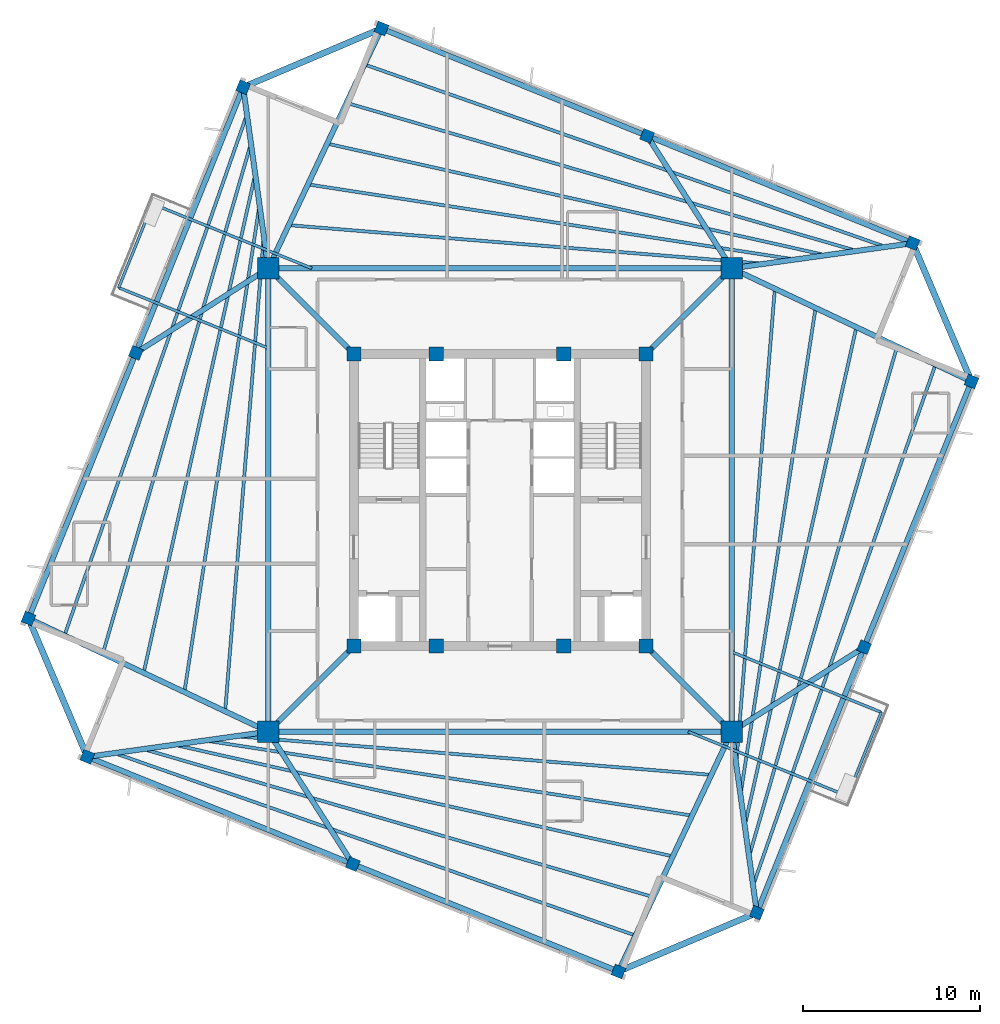
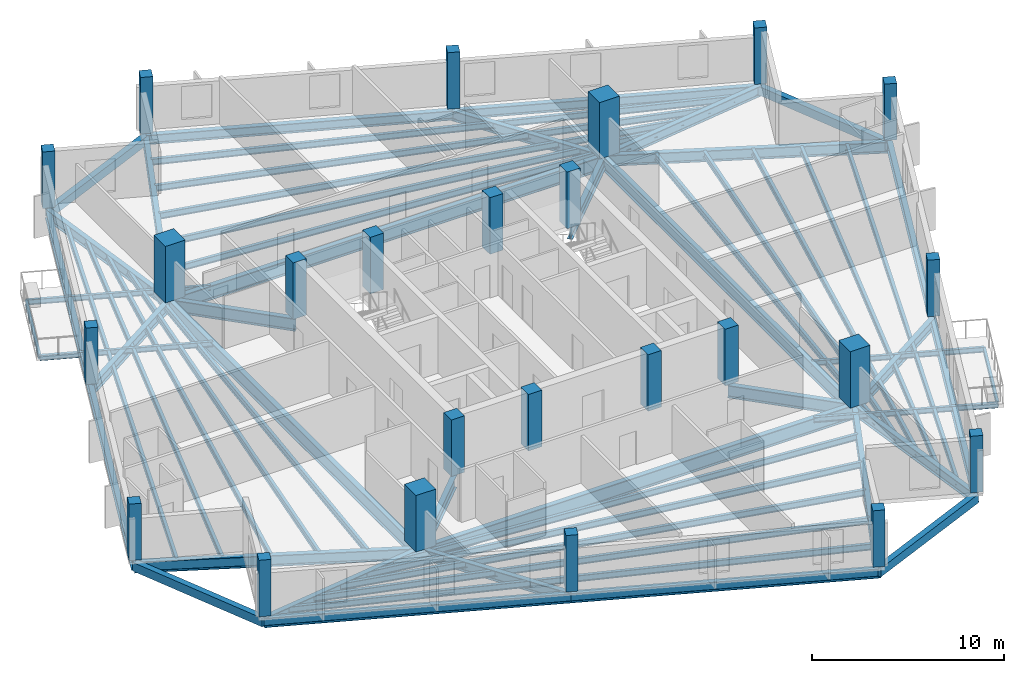
# One storey, part 1 of 8: 58 beams, 24 columns.
"""IFC4 building model written with IfcOpenShell, lengths in metres."""

from ifc_helpers import new_model, si_unit, direction, frame, origin, origin_2d, place, context, subcontext, project, spatial, rectangle, i_section, extrude, source, transform, mapped, material, material_profile, profile_set, type_object, element, save


model = new_model("IFC4")

# Units and contexts
model_context = context("Model", 3, precision=1e-05, world=origin(), true_north=direction((0.0, 1.0)))
body_context = subcontext(model_context, "Body", "Model", "MODEL_VIEW")
ifc_project = project(units=[si_unit("LENGTHUNIT", "METRE"), si_unit("AREAUNIT", "SQUARE_METRE"), si_unit("VOLUMEUNIT", "CUBIC_METRE"), si_unit("PLANEANGLEUNIT", "RADIAN"), si_unit("MASSUNIT", "GRAM", prefix="KILO"), si_unit("THERMODYNAMICTEMPERATUREUNIT", "KELVIN")], contexts=[model_context])

# Site, building, storey
site_placement = place(None, origin())
site = spatial("IfcSite", under=ifc_project, at=site_placement, CompositionType="ELEMENT")
building_placement = place(site_placement, origin())
building = spatial("IfcBuilding", under=site, at=building_placement, Name="Kosmvard Interchange Tower", CompositionType="ELEMENT")
storey_placement = place(building_placement, frame((0.0, 0.0, 304.800048828125)))
storey = spatial("IfcBuildingStorey", under=building, at=storey_placement, Name="L75", CompositionType="ELEMENT", Elevation=304.800048828125)

# Columns
ifc_material_1 = material(Name="Concrete C50/60", Category="concrete")
ifc_material_profile_1 = material_profile(ifc_material_1, rectangle(XDim=0.800048828125, YDim=0.800048828125, at=origin_2d()), Name="CP 800x800")
ifc_profile_set_1 = profile_set([ifc_material_profile_1], Name="Concrete C50/60")
column_type_1 = type_object("IfcColumnType", Name="Core Boundary Pilaster 800x800 C50/60", PredefinedType="PILASTER", material=ifc_profile_set_1)
shared_shape_1 = source(origin(), body_context, "Body", "SweptSolid", [
    extrude(rectangle(XDim=0.800048828125, YDim=0.800048828125, at=origin_2d()), origin(), (0.0, 0.0, 1.0), 3.599853515625),
])
for number, where, z_axis, x_axis, name in (
    (1, (-8.25, -8.25, 0.0), (0.0, 0.0, 1.0), (1.0, 0.0, 0.0), "L75 Core Pilaster CP1"),
    (2, (8.25, -8.25, 0.0), (0.0, 0.0, 1.0), (1.0, 0.0, 0.0), "L75 Core Pilaster CP2"),
    (3, (8.25, 8.25, 0.0), (0.0, 0.0, 1.0), (1.0, 0.0, 0.0), "L75 Core Pilaster CP3"),
    (4, (-8.25, 8.25, 0.0), (0.0, 0.0, 1.0), (1.0, 0.0, 0.0), "L75 Core Pilaster CP4"),
    (5, (-3.60009765625, -8.25, 0.0), (0.0, 0.0, 1.0), (1.0, 0.0, 0.0), "L75 Core Pilaster CP5"),
    (6, (3.60009765625, -8.25, 0.0), (0.0, 0.0, 1.0), (1.0, 0.0, 0.0), "L75 Core Pilaster CP6"),
    (7, (-3.60009765625, 8.25, 0.0), (0.0, 0.0, 1.0), (1.0, 0.0, 0.0), "L75 Core Pilaster CP7"),
    (8, (3.60009765625, 8.25, 0.0), (0.0, 0.0, 1.0), (1.0, 0.0, 0.0), "L75 Core Pilaster CP8"),
):
    element("IfcColumn", number, at=place(storey_placement, frame(where, z_axis=z_axis, x_axis=x_axis)), inside=storey, type_object=column_type_1, Name=name, PredefinedType="PILASTER", context=body_context, shape_type="MappedRepresentation", body=[
        mapped(shared_shape_1, transform((0.0, 0.0, 0.0), scale=1.0)),
    ])
ifc_material_profile_2 = material_profile(ifc_material_1, rectangle(XDim=1.199951171875, YDim=1.199951171875, at=origin_2d()), Name="MC 1200x1200")
ifc_profile_set_2 = profile_set([ifc_material_profile_2], Name="Concrete C50/60")
column_type_2 = type_object("IfcColumnType", Name="Composite Mega-Column 1200x1200 C50/60", PredefinedType="COLUMN", material=ifc_profile_set_2)
shared_shape_2 = source(origin(), body_context, "Body", "SweptSolid", [
    extrude(rectangle(XDim=1.199951171875, YDim=1.199951171875, at=origin_2d()), origin(), (0.0, 0.0, 1.0), 3.599853515625),
])
for number, where, z_axis, x_axis, name in (
    (9, (-13.0810546875, -13.0810546875, 0.0), (0.0, 0.0, 1.0), (1.0, 0.0, 0.0), "L75 Corner Mega-Column MC1"),
    (10, (13.0810546875, -13.0810546875, 0.0), (0.0, 0.0, 1.0), (1.0, 0.0, 0.0), "L75 Corner Mega-Column MC2"),
    (11, (13.0810546875, 13.0810546875, 0.0), (0.0, 0.0, 1.0), (1.0, 0.0, 0.0), "L75 Corner Mega-Column MC3"),
    (12, (-13.0810546875, 13.0810546875, 0.0), (0.0, 0.0, 1.0), (1.0, 0.0, 0.0), "L75 Corner Mega-Column MC4"),
):
    element("IfcColumn", number, at=place(storey_placement, frame(where, z_axis=z_axis, x_axis=x_axis)), inside=storey, type_object=column_type_2, Name=name, PredefinedType="COLUMN", context=body_context, shape_type="MappedRepresentation", body=[
        mapped(shared_shape_2, transform((0.0, 0.0, 0.0), scale=1.0)),
    ])
ifc_material_profile_3 = material_profile(ifc_material_1, rectangle(XDim=0.64990234375, YDim=0.64990234375, at=origin_2d()), Name="TC 650x650")
ifc_profile_set_3 = profile_set([ifc_material_profile_3], Name="Concrete C50/60")
column_type_3 = type_object("IfcColumnType", Name="Zone 5 Perimeter Pier Column 650x650 C50/60", PredefinedType="COLUMN", material=ifc_profile_set_3)
shared_shape_3 = source(origin(), body_context, "Body", "SweptSolid", [
    extrude(rectangle(XDim=0.64990234375, YDim=0.64990234375, at=origin_2d()), origin(), (0.0, 0.0, 1.0), 3.599853515625),
])
for number, where, z_axis, x_axis, name in (
    (13, (14.5009765625, -23.30419921875, 0.0), (0.0, 0.0, 1.0), (0.374606593416, 0.927183854567, 0.0), "L75 Perimeter Pier Column TC-S1"),
    (14, (20.560302734375, -8.306884765625, 0.0), (0.0, 0.0, 1.0), (0.374606593416, 0.927183854567, 0.0), "L75 Perimeter Pier Column TC-S2"),
    (15, (26.61962890625, 6.690185546875, 0.0), (0.0, 0.0, 1.0), (0.374606593416, 0.927183854567, 0.0), "L75 Perimeter Pier Column TC-S3"),
    (16, (23.30419921875, 14.5009765625, 0.0), (0.0, 0.0, 1.0), (0.374606593416, 0.927183854567, 0.0), "L75 Perimeter Pier Column TC-E1"),
    (17, (8.306884765625, 20.560302734375, 0.0), (0.0, 0.0, 1.0), (0.374606593416, 0.927183854567, 0.0), "L75 Perimeter Pier Column TC-E2"),
    (18, (-6.690185546875, 26.61962890625, 0.0), (0.0, 0.0, 1.0), (0.374606593416, 0.927183854567, 0.0), "L75 Perimeter Pier Column TC-E3"),
    (19, (-14.5009765625, 23.30419921875, 0.0), (0.0, 0.0, 1.0), (0.374606593416, 0.927183854567, 0.0), "L75 Perimeter Pier Column TC-N1"),
    (20, (-20.560302734375, 8.306884765625, 0.0), (0.0, 0.0, 1.0), (0.374606593416, 0.927183854567, 0.0), "L75 Perimeter Pier Column TC-N2"),
    (21, (-26.61962890625, -6.690185546875, 0.0), (0.0, 0.0, 1.0), (0.374606593416, 0.927183854567, 0.0), "L75 Perimeter Pier Column TC-N3"),
    (22, (-23.30419921875, -14.5009765625, 0.0), (0.0, 0.0, 1.0), (0.374606593416, 0.927183854567, 0.0), "L75 Perimeter Pier Column TC-W1"),
    (23, (-8.306884765625, -20.560302734375, 0.0), (0.0, 0.0, 1.0), (0.374606593416, 0.927183854567, 0.0), "L75 Perimeter Pier Column TC-W2"),
    (24, (6.690185546875, -26.61962890625, 0.0), (0.0, 0.0, 1.0), (0.374606593416, 0.927183854567, 0.0), "L75 Perimeter Pier Column TC-W3"),
):
    element("IfcColumn", number, at=place(storey_placement, frame(where, z_axis=z_axis, x_axis=x_axis)), inside=storey, type_object=column_type_3, Name=name, PredefinedType="COLUMN", context=body_context, shape_type="MappedRepresentation", body=[
        mapped(shared_shape_3, transform((0.0, 0.0, 0.0), scale=1.0)),
    ])

# Beams
ifc_material_2 = material(Name="Steel S355", Category="steel")
ifc_material_profile_4 = material_profile(ifc_material_2, i_section(OverallWidth=0.14990234375, OverallDepth=0.300048828125, WebThickness=0.007080078125, FlangeThickness=0.0107421875, FilletRadius=0.014892578125, at=origin_2d()), Name="IPE 300")
ifc_profile_set_4 = profile_set([ifc_material_profile_4], Name="Steel S355")
beam_type_1 = type_object("IfcBeamType", Name="Balcony Edge Header Joist IPE 300 S355", PredefinedType="JOIST", material=ifc_profile_set_4)
shared_shape_4 = source(origin(), body_context, "Body", "SweptSolid", [
    extrude(i_section(OverallWidth=0.14990234375, OverallDepth=0.300048828125, WebThickness=0.007080078125, FlangeThickness=0.0107421875, FilletRadius=0.014892578125, at=origin_2d()), origin(), (0.0, 0.0, 1.0), 5.099853515625),
])
for number, where, z_axis, x_axis, name in (
    (25, (-19.61669921875, 16.715576171875, -0.400146484375), (-0.374599188035, -0.9271868465, 0.0), (0.9271868465, -0.374599188035, 0.0), "BM-L75-BJH1"),
    (26, (19.61669921875, -16.715576171875, -0.400146484375), (0.374599188035, 0.9271868465, 0.0), (-0.9271868465, 0.374599188035, 0.0), "BM-L75-BJH2"),
):
    element("IfcBeam", number, at=place(storey_placement, frame(where, z_axis=z_axis, x_axis=x_axis)), inside=storey, type_object=beam_type_1, Name=name, PredefinedType="JOIST", context=body_context, shape_type="MappedRepresentation", body=[
        mapped(shared_shape_4, transform((0.0, 0.0, 0.0), scale=1.0)),
    ])
ifc_material_profile_5 = material_profile(ifc_material_2, i_section(OverallWidth=0.300048828125, OverallDepth=0.800048828125, WebThickness=0.017578125, FlangeThickness=0.032958984375, FilletRadius=0.027099609375, at=origin_2d()), Name="HEB 800")
ifc_profile_set_5 = profile_set([ifc_material_profile_5], Name="Steel S355")
beam_type_2 = type_object("IfcBeamType", Name="Primary Mega-Frame Girder HEB 800 S355", PredefinedType="BEAM", material=ifc_profile_set_5)
shared_shape_5 = source(origin(), body_context, "Body", "SweptSolid", [
    extrude(i_section(OverallWidth=0.300048828125, OverallDepth=0.800048828125, WebThickness=0.017578125, FlangeThickness=0.032958984375, FilletRadius=0.027099609375, at=origin_2d()), origin(), (0.0, 0.0, 1.0), 6.83203125),
])
for number, where, z_axis, x_axis, name in (
    (27, (-8.25, -8.25, -0.650146484375), (-0.707106781187, -0.707106781187, 0.0), (0.707106781187, -0.707106781187, 0.0), "L75 Radial Mega-Frame Girder 1"),
    (28, (8.25, -8.25, -0.650146484375), (0.707106781187, -0.707106781187, 0.0), (0.707106781187, 0.707106781187, 0.0), "L75 Radial Mega-Frame Girder 2"),
    (29, (8.25, 8.25, -0.650146484375), (0.707106781187, 0.707106781187, 0.0), (-0.707106781187, 0.707106781187, 0.0), "L75 Radial Mega-Frame Girder 3"),
    (30, (-8.25, 8.25, -0.650146484375), (-0.707106781187, 0.707106781187, 0.0), (-0.707106781187, -0.707106781187, 0.0), "L75 Radial Mega-Frame Girder 4"),
):
    element("IfcBeam", number, at=place(storey_placement, frame(where, z_axis=z_axis, x_axis=x_axis)), inside=storey, type_object=beam_type_2, Name=name, PredefinedType="BEAM", context=body_context, shape_type="MappedRepresentation", body=[
        mapped(shared_shape_5, transform((0.0, 0.0, 0.0), scale=1.0)),
    ])
ifc_material_profile_6 = material_profile(ifc_material_2, i_section(OverallWidth=0.300048828125, OverallDepth=0.89990234375, WebThickness=0.0185546875, FlangeThickness=0.034912109375, FilletRadius=0.030029296875, at=origin_2d()), Name="HEB 900")
ifc_profile_set_6 = profile_set([ifc_material_profile_6], Name="Steel S355")
beam_type_3 = type_object("IfcBeamType", Name="Mega-Column Ring Girder HEB 900 S355", PredefinedType="BEAM", material=ifc_profile_set_6)
shared_shape_6 = source(origin(), body_context, "Body", "SweptSolid", [
    extrude(i_section(OverallWidth=0.300048828125, OverallDepth=0.89990234375, WebThickness=0.0185546875, FlangeThickness=0.034912109375, FilletRadius=0.030029296875, at=origin_2d()), origin(), (0.0, 0.0, 1.0), 26.162109375),
])
for number, where, z_axis, x_axis, name in (
    (31, (-13.0810546875, -13.0810546875, -0.699951171875), (1.0, 0.0, 0.0), (0.0, 1.0, 0.0), "L75 Mega-Column Ring Girder 1"),
    (32, (13.0810546875, -13.0810546875, -0.699951171875), (0.0, 1.0, 0.0), (-1.0, 0.0, 0.0), "L75 Mega-Column Ring Girder 2"),
    (33, (13.0810546875, 13.0810546875, -0.699951171875), (-1.0, 0.0, 0.0), (0.0, -1.0, 0.0), "L75 Mega-Column Ring Girder 3"),
    (34, (-13.0810546875, 13.0810546875, -0.699951171875), (0.0, -1.0, 0.0), (1.0, 0.0, 0.0), "L75 Mega-Column Ring Girder 4"),
):
    element("IfcBeam", number, at=place(storey_placement, frame(where, z_axis=z_axis, x_axis=x_axis)), inside=storey, type_object=beam_type_3, Name=name, PredefinedType="BEAM", context=body_context, shape_type="MappedRepresentation", body=[
        mapped(shared_shape_6, transform((0.0, 0.0, 0.0), scale=1.0)),
    ])
ifc_material_profile_7 = material_profile(ifc_material_2, i_section(OverallWidth=0.300048828125, OverallDepth=0.60009765625, WebThickness=0.015380859375, FlangeThickness=0.030029296875, FilletRadius=0.027099609375, at=origin_2d()), Name="HEB 600")
ifc_profile_set_7 = profile_set([ifc_material_profile_7], Name="Steel S355")
beam_type_4 = type_object("IfcBeamType", Name="Perimeter Tie Girder HEB 600 S355", PredefinedType="BEAM", material=ifc_profile_set_7)
shared_shape_7 = source(origin(), body_context, "Body", "SweptSolid", [
    extrude(i_section(OverallWidth=0.300048828125, OverallDepth=0.60009765625, WebThickness=0.015380859375, FlangeThickness=0.030029296875, FilletRadius=0.027099609375, at=origin_2d()), origin(), (0.0, 0.0, 1.0), 16.175048828125),
])
for number, where, z_axis, x_axis, name in (
    (35, (14.5009765625, -23.30419921875, -0.550048828125), (0.374607540279, 0.927183472009, 0.0), (-0.927183472009, 0.374607540279, 0.0), "BM-L75-PR01"),
    (36, (23.30419921875, 14.5009765625, -0.550048828125), (-0.927183472009, 0.374607540279, 0.0), (-0.374607540279, -0.927183472009, 0.0), "BM-L75-PR04"),
    (37, (-14.5009765625, 23.30419921875, -0.550048828125), (-0.374607540279, -0.927183472009, 0.0), (0.927183472009, -0.374607540279, 0.0), "BM-L75-PR07"),
    (38, (-23.30419921875, -14.5009765625, -0.550048828125), (0.927183472009, -0.374607540279, 0.0), (0.374607540279, 0.927183472009, 0.0), "BM-L75-PR10"),
):
    element("IfcBeam", number, at=place(storey_placement, frame(where, z_axis=z_axis, x_axis=x_axis)), inside=storey, type_object=beam_type_4, Name=name, PredefinedType="BEAM", context=body_context, shape_type="MappedRepresentation", body=[
        mapped(shared_shape_7, transform((0.0, 0.0, 0.0), scale=1.0)),
    ])
ifc_material_profile_8 = material_profile(ifc_material_2, i_section(OverallWidth=0.300048828125, OverallDepth=0.64990234375, WebThickness=0.01611328125, FlangeThickness=0.031005859375, FilletRadius=0.027099609375, at=origin_2d()), Name="HEB 650")
ifc_profile_set_8 = profile_set([ifc_material_profile_8], Name="Steel S355")
beam_type_5 = type_object("IfcBeamType", Name="Primary Floor Girder HEB 650 S355", PredefinedType="BEAM", material=ifc_profile_set_8)
shared_shape_8 = source(origin(), body_context, "Body", "SweptSolid", [
    extrude(i_section(OverallWidth=0.300048828125, OverallDepth=0.64990234375, WebThickness=0.01611328125, FlangeThickness=0.031005859375, FilletRadius=0.027099609375, at=origin_2d()), origin(), (0.0, 0.0, 1.0), 10.3212890625),
])
for number, where, z_axis, x_axis, name in (
    (39, (13.0810546875, -13.0810546875, -0.574951171875), (0.137572239014, -0.990491735984, 0.0), (0.990491735984, 0.137572239014, 0.0), "BM-L75-RD01"),
    (40, (13.0810546875, 13.0810546875, -0.574951171875), (0.990491735984, 0.137572239014, 0.0), (-0.137572239014, 0.990491735984, 0.0), "BM-L75-RD04"),
    (41, (-13.0810546875, 13.0810546875, -0.574951171875), (-0.137572239014, 0.990491735984, 0.0), (-0.990491735984, -0.137572239014, 0.0), "BM-L75-RD07"),
    (42, (-13.0810546875, -13.0810546875, -0.574951171875), (-0.990491735984, -0.137572239014, 0.0), (0.137572239014, -0.990491735984, 0.0), "BM-L75-RD10"),
):
    element("IfcBeam", number, at=place(storey_placement, frame(where, z_axis=z_axis, x_axis=x_axis)), inside=storey, type_object=beam_type_5, Name=name, PredefinedType="BEAM", context=body_context, shape_type="MappedRepresentation", body=[
        mapped(shared_shape_8, transform((0.0, 0.0, 0.0), scale=1.0)),
    ])
shared_shape_9 = source(origin(), body_context, "Body", "SweptSolid", [
    extrude(i_section(OverallWidth=0.300048828125, OverallDepth=0.60009765625, WebThickness=0.015380859375, FlangeThickness=0.030029296875, FilletRadius=0.027099609375, at=origin_2d()), origin(), (0.0, 0.0, 1.0), 16.1748046875),
])
for number, where, z_axis, x_axis, name in (
    (43, (20.560302734375, -8.306884765625, -0.550048828125), (0.374612782798, 0.92718135387, 0.0), (-0.92718135387, 0.374612782798, 0.0), "BM-L75-PR02"),
    (44, (8.306884765625, 20.560302734375, -0.550048828125), (-0.92718135387, 0.374612782798, 0.0), (-0.374612782798, -0.92718135387, 0.0), "BM-L75-PR05"),
    (45, (-20.560302734375, 8.306884765625, -0.550048828125), (-0.374612782798, -0.92718135387, 0.0), (0.92718135387, -0.374612782798, 0.0), "BM-L75-PR08"),
    (46, (-8.306884765625, -20.560302734375, -0.550048828125), (0.92718135387, -0.374612782798, 0.0), (0.374612782798, 0.92718135387, 0.0), "BM-L75-PR11"),
):
    element("IfcBeam", number, at=place(storey_placement, frame(where, z_axis=z_axis, x_axis=x_axis)), inside=storey, type_object=beam_type_4, Name=name, PredefinedType="BEAM", context=body_context, shape_type="MappedRepresentation", body=[
        mapped(shared_shape_9, transform((0.0, 0.0, 0.0), scale=1.0)),
    ])
shared_shape_10 = source(origin(), body_context, "Body", "SweptSolid", [
    extrude(i_section(OverallWidth=0.300048828125, OverallDepth=0.64990234375, WebThickness=0.01611328125, FlangeThickness=0.031005859375, FilletRadius=0.027099609375, at=origin_2d()), origin(), (0.0, 0.0, 1.0), 8.873046875),
])
for number, where, z_axis, x_axis, name in (
    (47, (13.0810546875, -13.0810546875, -0.574951171875), (0.842912916934, 0.538050011119, 0.0), (-0.538050011119, 0.842912916934, 0.0), "BM-L75-RD02"),
    (48, (13.0810546875, 13.0810546875, -0.574951171875), (-0.538050011119, 0.842912916934, 0.0), (-0.842912916934, -0.538050011119, 0.0), "BM-L75-RD05"),
    (49, (-13.0810546875, 13.0810546875, -0.574951171875), (-0.842912916934, -0.538050011119, 0.0), (0.538050011119, -0.842912916934, 0.0), "BM-L75-RD08"),
    (50, (-13.0810546875, -13.0810546875, -0.574951171875), (0.538050011119, -0.842912916934, 0.0), (0.842912916934, 0.538050011119, 0.0), "BM-L75-RD11"),
):
    element("IfcBeam", number, at=place(storey_placement, frame(where, z_axis=z_axis, x_axis=x_axis)), inside=storey, type_object=beam_type_5, Name=name, PredefinedType="BEAM", context=body_context, shape_type="MappedRepresentation", body=[
        mapped(shared_shape_10, transform((0.0, 0.0, 0.0), scale=1.0)),
    ])
ifc_material_3 = material(Name="Precast concrete C45/55", Category="concrete")
ifc_material_profile_9 = material_profile(ifc_material_3, rectangle(XDim=0.35009765625, YDim=0.550048828125, at=origin_2d()), Name="SL 350x550")
ifc_profile_set_9 = profile_set([ifc_material_profile_9], Name="Precast concrete C45/55")
beam_type_6 = type_object("IfcBeamType", Name="Precast Spandrel Lintel 350x550 C45/55", PredefinedType="LINTEL", material=ifc_profile_set_9)
shared_shape_11 = source(origin(), body_context, "Body", "SweptSolid", [
    extrude(rectangle(XDim=0.35009765625, YDim=0.550048828125, at=origin_2d()), origin(), (0.0, 0.0, 1.0), 8.4853515625),
])
for number, where, z_axis, x_axis, name in (
    (51, (26.61962890625, 6.690185546875, -0.525146484375), (-0.390725696857, 0.920507159025, 0.0), (-0.920507159025, -0.390725696857, 0.0), "BM-L75-SL1"),
    (52, (-6.690185546875, 26.61962890625, -0.525146484375), (-0.920507159025, -0.390725696857, 0.0), (0.390725696857, -0.920507159025, 0.0), "BM-L75-SL2"),
    (53, (-26.61962890625, -6.690185546875, -0.525146484375), (0.390725696857, -0.920507159025, 0.0), (0.920507159025, 0.390725696857, 0.0), "BM-L75-SL3"),
    (54, (6.690185546875, -26.61962890625, -0.525146484375), (0.920507159025, 0.390725696857, 0.0), (-0.390725696857, 0.920507159025, 0.0), "BM-L75-SL4"),
):
    element("IfcBeam", number, at=place(storey_placement, frame(where, z_axis=z_axis, x_axis=x_axis)), inside=storey, type_object=beam_type_6, Name=name, PredefinedType="LINTEL", context=body_context, shape_type="MappedRepresentation", body=[
        mapped(shared_shape_11, transform((0.0, 0.0, 0.0), scale=1.0)),
    ])
ifc_material_profile_10 = material_profile(ifc_material_2, i_section(OverallWidth=0.300048828125, OverallDepth=0.699951171875, WebThickness=0.01708984375, FlangeThickness=0.031982421875, FilletRadius=0.027099609375, at=origin_2d()), Name="HEB 700")
ifc_profile_set_10 = profile_set([ifc_material_profile_10], Name="Steel S355")
beam_type_7 = type_object("IfcBeamType", Name="Primary Floor Girder HEB 700 S355", PredefinedType="BEAM", material=ifc_profile_set_10)
shared_shape_12 = source(origin(), body_context, "Body", "SweptSolid", [
    extrude(i_section(OverallWidth=0.300048828125, OverallDepth=0.699951171875, WebThickness=0.01708984375, FlangeThickness=0.031982421875, FilletRadius=0.027099609375, at=origin_2d()), origin(), (0.0, 0.0, 1.0), 14.97119140625),
])
for number, where, z_axis, x_axis, name in (
    (55, (13.0810546875, 13.0810546875, -0.60009765625), (0.904309155001, -0.426878146761, 0.0), (0.426878146761, 0.904309155001, 0.0), "BM-L75-RD03"),
    (56, (-13.0810546875, 13.0810546875, -0.60009765625), (0.426878146761, 0.904309155001, 0.0), (-0.904309155001, 0.426878146761, 0.0), "BM-L75-RD06"),
    (57, (-13.0810546875, -13.0810546875, -0.60009765625), (-0.904309155001, 0.426878146761, 0.0), (-0.426878146761, -0.904309155001, 0.0), "BM-L75-RD09"),
    (58, (13.0810546875, -13.0810546875, -0.60009765625), (-0.426878146761, -0.904309155001, 0.0), (0.904309155001, -0.426878146761, 0.0), "BM-L75-RD12"),
):
    element("IfcBeam", number, at=place(storey_placement, frame(where, z_axis=z_axis, x_axis=x_axis)), inside=storey, type_object=beam_type_7, Name=name, PredefinedType="BEAM", context=body_context, shape_type="MappedRepresentation", body=[
        mapped(shared_shape_12, transform((0.0, 0.0, 0.0), scale=1.0)),
    ])
ifc_material_profile_11 = material_profile(ifc_material_2, i_section(OverallWidth=0.179931640625, OverallDepth=0.39990234375, WebThickness=0.008544921875, FlangeThickness=0.013427734375, FilletRadius=0.02099609375, at=origin_2d()), Name="IPE 400")
ifc_profile_set_11 = profile_set([ifc_material_profile_11], Name="Steel S355")
beam_type_8 = type_object("IfcBeamType", Name="Upper-Zone Floor Joist IPE 400 S355", PredefinedType="JOIST", material=ifc_profile_set_11)
shared_shape_13 = source(origin(), body_context, "Body", "SweptSolid", [
    extrude(i_section(OverallWidth=0.179931640625, OverallDepth=0.39990234375, WebThickness=0.008544921875, FlangeThickness=0.013427734375, FilletRadius=0.02099609375, at=origin_2d()), origin(), (0.0, 0.0, 1.0), 26.780029296875),
])
for number, where, z_axis, x_axis, name in (
    (59, (13.343017578125, -14.84130859375, -0.449951171875), (0.080972773487, 0.996716313679, 0.0), (-0.996716313679, 0.080972773487, 0.0), "BM-L75-FJ01"),
    (60, (14.84130859375, 13.343017578125, -0.449951171875), (-0.996716313679, 0.080972773487, 0.0), (-0.080972773487, -0.996716313679, 0.0), "BM-L75-FJ06"),
    (61, (-13.343017578125, 14.84130859375, -0.449951171875), (-0.080972773487, -0.996716313679, 0.0), (0.996716313679, -0.080972773487, 0.0), "BM-L75-FJ11"),
    (62, (-14.84130859375, -13.343017578125, -0.449951171875), (0.996716313679, -0.080972773487, 0.0), (0.080972773487, 0.996716313679, 0.0), "BM-L75-FJ16"),
):
    element("IfcBeam", number, at=place(storey_placement, frame(where, z_axis=z_axis, x_axis=x_axis)), inside=storey, type_object=beam_type_8, Name=name, PredefinedType="JOIST", context=body_context, shape_type="MappedRepresentation", body=[
        mapped(shared_shape_13, transform((0.0, 0.0, 0.0), scale=1.0)),
    ])
shared_shape_14 = source(origin(), body_context, "Body", "SweptSolid", [
    extrude(i_section(OverallWidth=0.179931640625, OverallDepth=0.39990234375, WebThickness=0.008544921875, FlangeThickness=0.013427734375, FilletRadius=0.02099609375, at=origin_2d()), origin(), (0.0, 0.0, 1.0), 27.66845703125),
])
for number, where, z_axis, x_axis, name in (
    (63, (13.590087890625, -16.580078125, -0.449951171875), (0.152421855854, 0.988315525456, 0.0), (-0.988315525456, 0.152421855854, 0.0), "BM-L75-FJ02"),
    (64, (16.580078125, 13.590087890625, -0.449951171875), (-0.988315525456, 0.152421855854, 0.0), (-0.152421855854, -0.988315525456, 0.0), "BM-L75-FJ07"),
    (65, (-13.590087890625, 16.580078125, -0.449951171875), (-0.152421855854, -0.988315525456, 0.0), (0.988315525456, -0.152421855854, 0.0), "BM-L75-FJ12"),
    (66, (-16.580078125, -13.590087890625, -0.449951171875), (0.988315525456, -0.152421855854, 0.0), (0.152421855854, 0.988315525456, 0.0), "BM-L75-FJ17"),
):
    element("IfcBeam", number, at=place(storey_placement, frame(where, z_axis=z_axis, x_axis=x_axis)), inside=storey, type_object=beam_type_8, Name=name, PredefinedType="JOIST", context=body_context, shape_type="MappedRepresentation", body=[
        mapped(shared_shape_14, transform((0.0, 0.0, 0.0), scale=1.0)),
    ])
shared_shape_15 = source(origin(), body_context, "Body", "SweptSolid", [
    extrude(i_section(OverallWidth=0.179931640625, OverallDepth=0.39990234375, WebThickness=0.008544921875, FlangeThickness=0.013427734375, FilletRadius=0.02099609375, at=origin_2d()), origin(), (0.0, 0.0, 1.0), 28.691162109375),
])
for number, where, z_axis, x_axis, name in (
    (67, (13.8369140625, -18.31884765625, -0.449951171875), (0.218415018158, 0.975855972899, 0.0), (-0.975855972899, 0.218415018158, 0.0), "BM-L75-FJ03"),
    (68, (18.31884765625, 13.8369140625, -0.449951171875), (-0.975855972899, 0.218415018158, 0.0), (-0.218415018158, -0.975855972899, 0.0), "BM-L75-FJ08"),
    (69, (-13.8369140625, 18.31884765625, -0.449951171875), (-0.218415018158, -0.975855972899, 0.0), (0.975855972899, -0.218415018158, 0.0), "BM-L75-FJ13"),
    (70, (-18.31884765625, -13.8369140625, -0.449951171875), (0.975855972899, -0.218415018158, 0.0), (0.218415018158, 0.975855972899, 0.0), "BM-L75-FJ18"),
):
    element("IfcBeam", number, at=place(storey_placement, frame(where, z_axis=z_axis, x_axis=x_axis)), inside=storey, type_object=beam_type_8, Name=name, PredefinedType="JOIST", context=body_context, shape_type="MappedRepresentation", body=[
        mapped(shared_shape_15, transform((0.0, 0.0, 0.0), scale=1.0)),
    ])
shared_shape_16 = source(origin(), body_context, "Body", "SweptSolid", [
    extrude(i_section(OverallWidth=0.179931640625, OverallDepth=0.39990234375, WebThickness=0.008544921875, FlangeThickness=0.013427734375, FilletRadius=0.02099609375, at=origin_2d()), origin(), (0.0, 0.0, 1.0), 29.83544921875),
])
for number, where, z_axis, x_axis, name in (
    (71, (14.0830078125, -20.05810546875, -0.449951171875), (0.27877586881, 0.960356191717, 0.0), (-0.960356191717, 0.27877586881, 0.0), "BM-L75-FJ04"),
    (72, (20.05810546875, 14.0830078125, -0.449951171875), (-0.960356191717, 0.27877586881, 0.0), (-0.27877586881, -0.960356191717, 0.0), "BM-L75-FJ09"),
    (73, (-14.0830078125, 20.05810546875, -0.449951171875), (-0.27877586881, -0.960356191717, 0.0), (0.960356191717, -0.27877586881, 0.0), "BM-L75-FJ14"),
    (74, (-20.05810546875, -14.0830078125, -0.449951171875), (0.960356191717, -0.27877586881, 0.0), (0.27877586881, 0.960356191717, 0.0), "BM-L75-FJ19"),
):
    element("IfcBeam", number, at=place(storey_placement, frame(where, z_axis=z_axis, x_axis=x_axis)), inside=storey, type_object=beam_type_8, Name=name, PredefinedType="JOIST", context=body_context, shape_type="MappedRepresentation", body=[
        mapped(shared_shape_16, transform((0.0, 0.0, 0.0), scale=1.0)),
    ])
shared_shape_17 = source(origin(), body_context, "Body", "SweptSolid", [
    extrude(i_section(OverallWidth=0.179931640625, OverallDepth=0.39990234375, WebThickness=0.008544921875, FlangeThickness=0.013427734375, FilletRadius=0.02099609375, at=origin_2d()), origin(), (0.0, 0.0, 1.0), 31.0107421875),
])
for number, where, z_axis, x_axis, name in (
    (75, (14.314453125, -21.695068359375, -0.449951171875), (0.330459834828, 0.943820055713, 0.0), (-0.943820055713, 0.330459834828, 0.0), "BM-L75-FJ05"),
    (76, (21.695068359375, 14.314453125, -0.449951171875), (-0.943820055713, 0.330459834828, 0.0), (-0.330459834828, -0.943820055713, 0.0), "BM-L75-FJ10"),
    (77, (-14.314453125, 21.695068359375, -0.449951171875), (-0.330459834828, -0.943820055713, 0.0), (0.943820055713, -0.330459834828, 0.0), "BM-L75-FJ15"),
    (78, (-21.695068359375, -14.314453125, -0.449951171875), (0.943820055713, -0.330459834828, 0.0), (0.330459834828, 0.943820055713, 0.0), "BM-L75-FJ20"),
):
    element("IfcBeam", number, at=place(storey_placement, frame(where, z_axis=z_axis, x_axis=x_axis)), inside=storey, type_object=beam_type_8, Name=name, PredefinedType="JOIST", context=body_context, shape_type="MappedRepresentation", body=[
        mapped(shared_shape_17, transform((0.0, 0.0, 0.0), scale=1.0)),
    ])
ifc_material_profile_12 = material_profile(ifc_material_2, i_section(OverallWidth=0.159912109375, OverallDepth=0.330078125, WebThickness=0.007568359375, FlangeThickness=0.011474609375, FilletRadius=0.01806640625, at=origin_2d()), Name="IPE 330")
ifc_profile_set_12 = profile_set([ifc_material_profile_12], Name="Steel S355")
beam_type_9 = type_object("IfcBeamType", Name="Balcony Cantilever Joist IPE 330 S355", PredefinedType="JOIST", material=ifc_profile_set_12)
shared_shape_18 = source(origin(), body_context, "Body", "SweptSolid", [
    extrude(i_section(OverallWidth=0.159912109375, OverallDepth=0.330078125, WebThickness=0.007568359375, FlangeThickness=0.011474609375, FilletRadius=0.01806640625, at=origin_2d()), origin(), (0.0, 0.0, 1.0), 9.702880859375),
])
for number, where, z_axis, x_axis, name in (
    (79, (-10.620361328125, 13.0810546875, -0.4150390625), (-0.927192265168, 0.374585775775, 0.0), (-0.374585775775, -0.927192265168, 0.0), "BM-L75-BJ1"),
    (80, (10.620361328125, -13.0810546875, -0.4150390625), (0.927192265168, -0.374585775775, 0.0), (0.374585775775, 0.927192265168, 0.0), "BM-L75-BJ2"),
):
    element("IfcBeam", number, at=place(storey_placement, frame(where, z_axis=z_axis, x_axis=x_axis)), inside=storey, type_object=beam_type_9, Name=name, PredefinedType="JOIST", context=body_context, shape_type="MappedRepresentation", body=[
        mapped(shared_shape_18, transform((0.0, 0.0, 0.0), scale=1.0)),
    ])
shared_shape_19 = source(origin(), body_context, "Body", "SweptSolid", [
    extrude(i_section(OverallWidth=0.159912109375, OverallDepth=0.330078125, WebThickness=0.007568359375, FlangeThickness=0.011474609375, FilletRadius=0.01806640625, at=origin_2d()), origin(), (0.0, 0.0, 1.0), 9.109375),
])
for number, where, z_axis, x_axis, name in (
    (81, (-13.0810546875, 8.57470703125, -0.4150390625), (-0.927186528809, 0.374599974365, 0.0), (-0.374599974365, -0.927186528809, 0.0), "BM-L75-BJB1"),
    (82, (13.0810546875, -8.57470703125, -0.4150390625), (0.927186528809, -0.374599974365, 0.0), (0.374599974365, 0.927186528809, 0.0), "BM-L75-BJB2"),
):
    element("IfcBeam", number, at=place(storey_placement, frame(where, z_axis=z_axis, x_axis=x_axis)), inside=storey, type_object=beam_type_9, Name=name, PredefinedType="JOIST", context=body_context, shape_type="MappedRepresentation", body=[
        mapped(shared_shape_19, transform((0.0, 0.0, 0.0), scale=1.0)),
    ])

save(model, "model.ifc")
